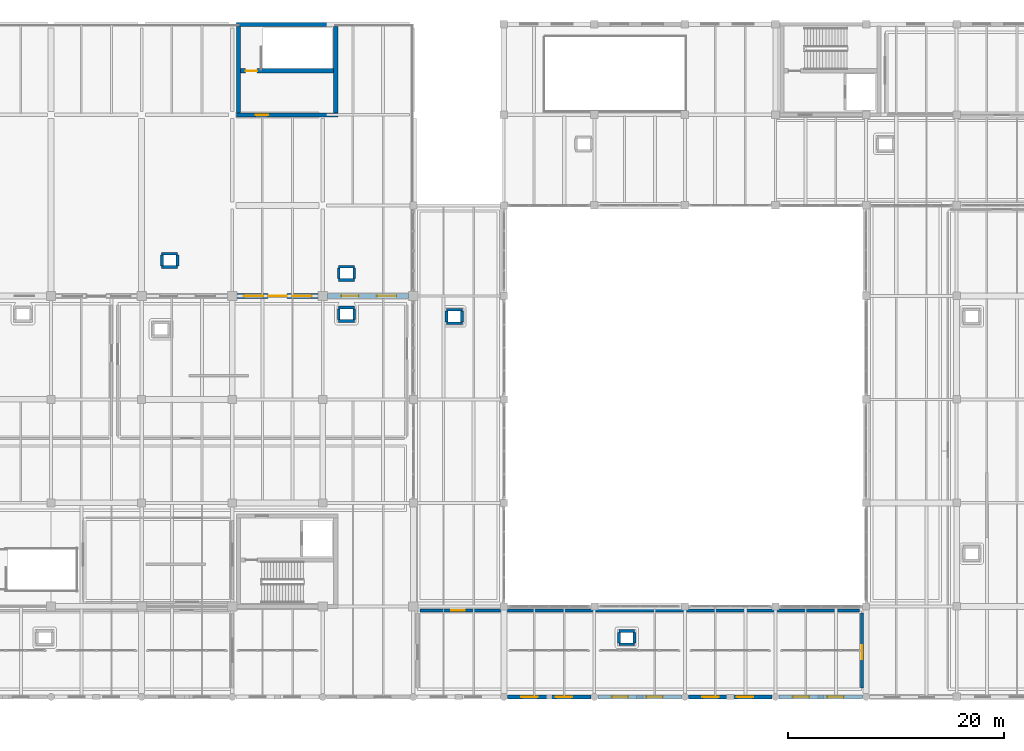
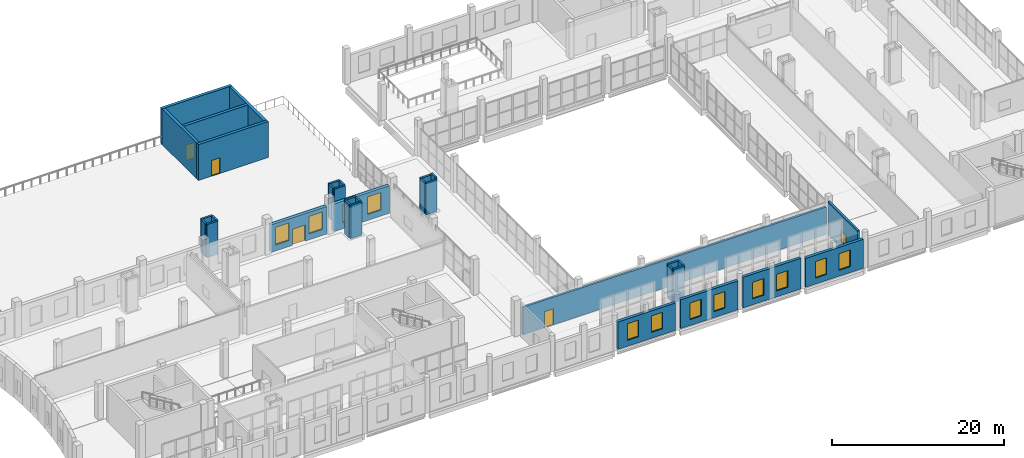
# One storey, part 57 of 73: 33 walls, 13 windows, 4 doors, 17 openings.
"""IFC4 building model written with IfcOpenShell, lengths in metres."""

from ifc_helpers import new_model, si_unit, direction, frame, frame_2d, origin, place, context, subcontext, project, spatial, rectangle, extrude, material, layer, layer_set, type_object, element, fill, save


model = new_model("IFC4")

# Units and contexts
model_context = context("Model", 3, precision=1e-05, world=origin(), true_north=direction((0.0, 1.0)))
body_context = subcontext(model_context, "Body", "Model", "MODEL_VIEW")
ifc_project = project(units=[si_unit("LENGTHUNIT", "METRE"), si_unit("AREAUNIT", "SQUARE_METRE"), si_unit("VOLUMEUNIT", "CUBIC_METRE"), si_unit("PLANEANGLEUNIT", "RADIAN"), si_unit("MASSUNIT", "GRAM", prefix="KILO")], contexts=[model_context])

# Site, building, storey
site_placement = place(None, origin())
site = spatial("IfcSite", under=ifc_project, at=site_placement, CompositionType="ELEMENT")
building_placement = place(site_placement, origin())
building = spatial("IfcBuilding", under=site, at=building_placement, Name="Zulmaris Art Gallery", CompositionType="ELEMENT")
storey_placement = place(building_placement, frame((0.0, 0.0, 10.5)))
storey = spatial("IfcBuildingStorey", under=building, at=storey_placement, Name="L02", CompositionType="ELEMENT", Elevation=10.5)

# Wall, openings, door, windows
ifc_material_1 = material(Name="Omani Cream Limestone Ashlar Masonry", Category="masonry")
ifc_layer_1 = layer(ifc_material_1, 0.43994140625)
ifc_layer_set_1 = layer_set([ifc_layer_1], Name="Omani Cream Limestone Ashlar Masonry")
wall_type_1 = type_object("IfcWallType", Name="ENV-WALL-EW01", PredefinedType="SOLIDWALL", material=ifc_layer_set_1)
wall_1_placement = place(storey_placement, frame((66.427001953125, 50.39990234375, 0.0), z_axis=(0.0, 0.0, 1.0), x_axis=(1.0, 0.0, 0.0)))
wall_1 = element("IfcWall", 1, at=wall_1_placement, inside=storey, type_object=wall_type_1, Name="L02 V1 North Wall Bay 6", PredefinedType="SOLIDWALL", context=body_context, shape_type="SweptSolid", body=[
    extrude(rectangle(XDim=7.5458984375, YDim=0.43994140625, at=frame_2d((3.77294921875, 0.0))), origin(), (0.0, 0.0, 1.0), 3.89990234375),
])
opening_1_placement = place(wall_1_placement, frame((0.64306640625, 0.0, 0.85009765625)))
opening_1 = element("IfcOpeningElement", 2, at=opening_1_placement, cuts=wall_1, Name="Opening W02", PredefinedType="OPENING", context=body_context, shape_type="SweptSolid", body=[
    extrude(rectangle(XDim=1.800048828125, YDim=2.5, at=frame_2d((0.89990234375, 1.25))), frame((0.0, 0.22998046875, 0.0), z_axis=(0.0, -1.0, 0.0), x_axis=(1.0, 0.0, 0.0)), (0.0, 0.0, 1.0), 0.4599609375),
])
opening_2_placement = place(wall_1_placement, frame((5.14306640625, 0.0, 0.85009765625)))
opening_2 = element("IfcOpeningElement", 3, at=opening_2_placement, cuts=wall_1, Name="Opening W02", PredefinedType="OPENING", context=body_context, shape_type="SweptSolid", body=[
    extrude(rectangle(XDim=1.800048828125, YDim=2.5, at=frame_2d((0.89990234375, 1.25))), frame((0.0, 0.22998046875, 0.0), z_axis=(0.0, -1.0, 0.0), x_axis=(1.0, 0.0, 0.0)), (0.0, 0.0, 1.0), 0.4599609375),
])
opening_3_placement = place(wall_1_placement, frame((2.89306640625, 0.0, 0.0)))
opening_3 = element("IfcOpeningElement", 4, at=opening_3_placement, cuts=wall_1, Name="Opening TD01", PredefinedType="OPENING", context=body_context, shape_type="SweptSolid", body=[
    extrude(rectangle(XDim=1.75, YDim=2.300048828125, at=frame_2d((0.875, 1.14990234375))), frame((0.0, 0.22998046875, 0.0), z_axis=(0.0, -1.0, 0.0), x_axis=(1.0, 0.0, 0.0)), (0.0, 0.0, 1.0), 0.4599609375),
])
ifc_material_2 = material(Name="Bronze-Framed Terrace Access Double Door", Category="glass")
door_type_1 = type_object("IfcDoorType", Name="EDOOR-TD01", OperationType="DOUBLE_SWING_LEFT", PredefinedType="DOOR", material=ifc_material_2)
door_1_placement = place(opening_3_placement, origin())
door_1 = element("IfcDoor", 5, at=door_1_placement, inside=storey, type_object=door_type_1, Name="L02 Auditorium Roof Terrace Door 5", OperationType="DOUBLE_SWING_LEFT", OverallHeight=2.300048828125, OverallWidth=1.75, PredefinedType="DOOR", context=body_context, shape_type="SweptSolid", body=[
    extrude(rectangle(XDim=1.75, YDim=2.300048828125, at=frame_2d((0.875, 1.14990234375))), frame((0.0, 0.02490234375, 0.0), z_axis=(0.0, -1.0, 0.0), x_axis=(1.0, 0.0, 0.0)), (0.0, 0.0, 1.0), 0.050048828125),
])
fill(opening_3, door_1)
ifc_material_3 = material(Name="Double-Glazed Solar-Control Low-E Window", Category="glass")
window_type_1 = type_object("IfcWindowType", Name="WIN-W02", PartitioningType="SINGLE_PANEL", PredefinedType="WINDOW", material=ifc_material_3)
window_1_placement = place(opening_1_placement, origin())
window_1 = element("IfcWindow", 6, at=window_1_placement, inside=storey, type_object=window_type_1, Name="L02 exterior window W02", OverallHeight=2.5, OverallWidth=1.800048828125, PartitioningType="SINGLE_PANEL", PredefinedType="WINDOW", context=body_context, shape_type="SweptSolid", body=[
    extrude(rectangle(XDim=1.800048828125, YDim=2.5, at=frame_2d((0.89990234375, 1.25))), frame((0.0, 0.030029296875, 0.0), z_axis=(0.0, -1.0, 0.0), x_axis=(1.0, 0.0, 0.0)), (0.0, 0.0, 1.0), 0.06005859375),
])
fill(opening_1, window_1)
window_2_placement = place(opening_2_placement, origin())
window_2 = element("IfcWindow", 7, at=window_2_placement, inside=storey, type_object=window_type_1, Name="L02 exterior window W02", OverallHeight=2.5, OverallWidth=1.800048828125, PartitioningType="SINGLE_PANEL", PredefinedType="WINDOW", context=body_context, shape_type="SweptSolid", body=[
    extrude(rectangle(XDim=1.800048828125, YDim=2.5, at=frame_2d((0.89990234375, 1.25))), frame((0.0, 0.030029296875, 0.0), z_axis=(0.0, -1.0, 0.0), x_axis=(1.0, 0.0, 0.0)), (0.0, 0.0, 1.0), 0.06005859375),
])
fill(opening_2, window_2)

# Wall, openings, windows
wall_2_placement = place(storey_placement, frame((74.826904296875, 50.39990234375, 0.0), z_axis=(0.0, 0.0, 1.0), x_axis=(1.0, 0.0, 0.0)))
wall_2 = element("IfcWall", 8, at=wall_2_placement, inside=storey, type_object=wall_type_1, Name="L02 V1 North Wall Bay 7", PredefinedType="SOLIDWALL", context=body_context, shape_type="SweptSolid", body=[
    extrude(rectangle(XDim=7.546142578125, YDim=0.43994140625, at=frame_2d((3.77294921875, 0.0))), origin(), (0.0, 0.0, 1.0), 3.89990234375),
])
opening_4_placement = place(wall_2_placement, frame((1.29296875, 0.0, 0.85009765625)))
opening_4 = element("IfcOpeningElement", 9, at=opening_4_placement, cuts=wall_2, Name="Opening W01", PredefinedType="OPENING", context=body_context, shape_type="SweptSolid", body=[
    extrude(rectangle(XDim=1.60009765625, YDim=2.5, at=frame_2d((0.800048828125, 1.25))), frame((0.0, 0.22998046875, 0.0), z_axis=(0.0, -1.0, 0.0), x_axis=(1.0, 0.0, 0.0)), (0.0, 0.0, 1.0), 0.4599609375),
])
opening_5_placement = place(wall_2_placement, frame((4.593017578125, 0.0, 0.85009765625)))
opening_5 = element("IfcOpeningElement", 10, at=opening_5_placement, cuts=wall_2, Name="Opening W02", PredefinedType="OPENING", context=body_context, shape_type="SweptSolid", body=[
    extrude(rectangle(XDim=1.800048828125, YDim=2.5, at=frame_2d((0.89990234375, 1.25))), frame((0.0, 0.22998046875, 0.0), z_axis=(0.0, -1.0, 0.0), x_axis=(1.0, 0.0, 0.0)), (0.0, 0.0, 1.0), 0.4599609375),
])
window_type_2 = type_object("IfcWindowType", Name="WIN-W01", PartitioningType="SINGLE_PANEL", PredefinedType="WINDOW", material=ifc_material_3)
window_3_placement = place(opening_4_placement, origin())
window_3 = element("IfcWindow", 11, at=window_3_placement, inside=storey, type_object=window_type_2, Name="L02 exterior window W01", OverallHeight=2.5, OverallWidth=1.60009765625, PartitioningType="SINGLE_PANEL", PredefinedType="WINDOW", context=body_context, shape_type="SweptSolid", body=[
    extrude(rectangle(XDim=1.60009765625, YDim=2.5, at=frame_2d((0.800048828125, 1.25))), frame((0.0, 0.030029296875, 0.0), z_axis=(0.0, -1.0, 0.0), x_axis=(1.0, 0.0, 0.0)), (0.0, 0.0, 1.0), 0.06005859375),
])
fill(opening_4, window_3)
window_4_placement = place(opening_5_placement, origin())
window_4 = element("IfcWindow", 12, at=window_4_placement, inside=storey, type_object=window_type_1, Name="L02 exterior window W02", OverallHeight=2.5, OverallWidth=1.800048828125, PartitioningType="SINGLE_PANEL", PredefinedType="WINDOW", context=body_context, shape_type="SweptSolid", body=[
    extrude(rectangle(XDim=1.800048828125, YDim=2.5, at=frame_2d((0.89990234375, 1.25))), frame((0.0, 0.030029296875, 0.0), z_axis=(0.0, -1.0, 0.0), x_axis=(1.0, 0.0, 0.0)), (0.0, 0.0, 1.0), 0.06005859375),
])
fill(opening_5, window_4)

ifc_material_4 = material(Name="Omani Desert Rose Limestone Cladding Wall", Category="masonry")
ifc_layer_2 = layer(ifc_material_4, 0.389892578125)
ifc_layer_set_2 = layer_set([ifc_layer_2], Name="Omani Desert Rose Limestone Cladding Wall")
wall_type_2 = type_object("IfcWallType", Name="ENV-WALL-EW02", PredefinedType="SOLIDWALL", material=ifc_layer_set_2)
wall_3_placement = place(storey_placement, frame((91.527099609375, 13.199951171875, 0.0), z_axis=(0.0, 0.0, 1.0), x_axis=(1.0, 0.0, 0.0)))
wall_3 = element("IfcWall", 13, at=wall_3_placement, inside=storey, type_object=wall_type_2, Name="L02 V2 South Street Wall 9", PredefinedType="SOLIDWALL", context=body_context, shape_type="SweptSolid", body=[
    extrude(rectangle(XDim=7.745849609375, YDim=0.389892578125, at=frame_2d((3.873046875, 0.0))), origin(), (0.0, 0.0, 1.0), 3.89990234375),
])
opening_6_placement = place(wall_3_placement, frame((1.29296875, 0.0, 0.85009765625)))
opening_6 = element("IfcOpeningElement", 14, at=opening_6_placement, cuts=wall_3, Name="Opening W07", PredefinedType="OPENING", context=body_context, shape_type="SweptSolid", body=[
    extrude(rectangle(XDim=1.5, YDim=2.35009765625, at=frame_2d((0.75, 1.175048828125))), frame((0.0, 0.204833984375, 0.0), z_axis=(0.0, -1.0, 0.0), x_axis=(1.0, 0.0, 0.0)), (0.0, 0.0, 1.0), 0.409912109375),
])
opening_7_placement = place(wall_3_placement, frame((4.492919921875, 0.0, 0.85009765625)))
opening_7 = element("IfcOpeningElement", 15, at=opening_7_placement, cuts=wall_3, Name="Opening W07", PredefinedType="OPENING", context=body_context, shape_type="SweptSolid", body=[
    extrude(rectangle(XDim=1.5, YDim=2.35009765625, at=frame_2d((0.75, 1.175048828125))), frame((0.0, 0.204833984375, 0.0), z_axis=(0.0, -1.0, 0.0), x_axis=(1.0, 0.0, 0.0)), (0.0, 0.0, 1.0), 0.409912109375),
])
ifc_material_5 = material(Name="Gallery Cloister Bronze Window", Category="glass")
window_type_3 = type_object("IfcWindowType", Name="WIN-W07", PartitioningType="SINGLE_PANEL", PredefinedType="WINDOW", material=ifc_material_5)
window_5_placement = place(opening_6_placement, origin())
window_5 = element("IfcWindow", 16, at=window_5_placement, inside=storey, type_object=window_type_3, Name="L02 exterior window W07", OverallHeight=2.35009765625, OverallWidth=1.5, PartitioningType="SINGLE_PANEL", PredefinedType="WINDOW", context=body_context, shape_type="SweptSolid", body=[
    extrude(rectangle(XDim=1.5, YDim=2.35009765625, at=frame_2d((0.75, 1.175048828125))), frame((0.0, 0.030029296875, 0.0), z_axis=(0.0, -1.0, 0.0), x_axis=(1.0, 0.0, 0.0)), (0.0, 0.0, 1.0), 0.06005859375),
])
fill(opening_6, window_5)
window_6_placement = place(opening_7_placement, origin())
window_6 = element("IfcWindow", 17, at=window_6_placement, inside=storey, type_object=window_type_3, Name="L02 exterior window W07", OverallHeight=2.35009765625, OverallWidth=1.5, PartitioningType="SINGLE_PANEL", PredefinedType="WINDOW", context=body_context, shape_type="SweptSolid", body=[
    extrude(rectangle(XDim=1.5, YDim=2.35009765625, at=frame_2d((0.75, 1.175048828125))), frame((0.0, 0.030029296875, 0.0), z_axis=(0.0, -1.0, 0.0), x_axis=(1.0, 0.0, 0.0)), (0.0, 0.0, 1.0), 0.06005859375),
])
fill(opening_7, window_6)

wall_4_placement = place(storey_placement, frame((99.927001953125, 13.199951171875, 0.0), z_axis=(0.0, 0.0, 1.0), x_axis=(1.0, 0.0, 0.0)))
wall_4 = element("IfcWall", 18, at=wall_4_placement, inside=storey, type_object=wall_type_2, Name="L02 V2 South Street Wall 10", PredefinedType="SOLIDWALL", context=body_context, shape_type="SweptSolid", body=[
    extrude(rectangle(XDim=7.74609375, YDim=0.389892578125, at=frame_2d((3.873046875, 0.0))), origin(), (0.0, 0.0, 1.0), 4.10009765625),
])
opening_8_placement = place(wall_4_placement, frame((1.29296875, 0.0, 0.85009765625)))
opening_8 = element("IfcOpeningElement", 19, at=opening_8_placement, cuts=wall_4, Name="Opening W07", PredefinedType="OPENING", context=body_context, shape_type="SweptSolid", body=[
    extrude(rectangle(XDim=1.5, YDim=2.35009765625, at=frame_2d((0.75, 1.175048828125))), frame((0.0, 0.204833984375, 0.0), z_axis=(0.0, -1.0, 0.0), x_axis=(1.0, 0.0, 0.0)), (0.0, 0.0, 1.0), 0.409912109375),
])
opening_9_placement = place(wall_4_placement, frame((4.492919921875, 0.0, 0.85009765625)))
opening_9 = element("IfcOpeningElement", 20, at=opening_9_placement, cuts=wall_4, Name="Opening W07", PredefinedType="OPENING", context=body_context, shape_type="SweptSolid", body=[
    extrude(rectangle(XDim=1.5, YDim=2.35009765625, at=frame_2d((0.75, 1.175048828125))), frame((0.0, 0.204833984375, 0.0), z_axis=(0.0, -1.0, 0.0), x_axis=(1.0, 0.0, 0.0)), (0.0, 0.0, 1.0), 0.409912109375),
])
window_7_placement = place(opening_8_placement, origin())
window_7 = element("IfcWindow", 21, at=window_7_placement, inside=storey, type_object=window_type_3, Name="L02 exterior window W07", OverallHeight=2.35009765625, OverallWidth=1.5, PartitioningType="SINGLE_PANEL", PredefinedType="WINDOW", context=body_context, shape_type="SweptSolid", body=[
    extrude(rectangle(XDim=1.5, YDim=2.35009765625, at=frame_2d((0.75, 1.175048828125))), frame((0.0, 0.030029296875, 0.0), z_axis=(0.0, -1.0, 0.0), x_axis=(1.0, 0.0, 0.0)), (0.0, 0.0, 1.0), 0.06005859375),
])
fill(opening_8, window_7)
window_8_placement = place(opening_9_placement, origin())
window_8 = element("IfcWindow", 22, at=window_8_placement, inside=storey, type_object=window_type_3, Name="L02 exterior window W07", OverallHeight=2.35009765625, OverallWidth=1.5, PartitioningType="SINGLE_PANEL", PredefinedType="WINDOW", context=body_context, shape_type="SweptSolid", body=[
    extrude(rectangle(XDim=1.5, YDim=2.35009765625, at=frame_2d((0.75, 1.175048828125))), frame((0.0, 0.030029296875, 0.0), z_axis=(0.0, -1.0, 0.0), x_axis=(1.0, 0.0, 0.0)), (0.0, 0.0, 1.0), 0.06005859375),
])
fill(opening_9, window_8)

wall_5_placement = place(storey_placement, frame((108.326904296875, 13.199951171875, 0.0), z_axis=(0.0, 0.0, 1.0), x_axis=(1.0, 0.0, 0.0)))
wall_5 = element("IfcWall", 23, at=wall_5_placement, inside=storey, type_object=wall_type_2, Name="L02 V2 South Street Wall 11", PredefinedType="SOLIDWALL", context=body_context, shape_type="SweptSolid", body=[
    extrude(rectangle(XDim=7.74609375, YDim=0.389892578125, at=frame_2d((3.873046875, 0.0))), origin(), (0.0, 0.0, 1.0), 4.35009765625),
])
opening_10_placement = place(wall_5_placement, frame((1.29296875, 0.0, 0.85009765625)))
opening_10 = element("IfcOpeningElement", 24, at=opening_10_placement, cuts=wall_5, Name="Opening W07", PredefinedType="OPENING", context=body_context, shape_type="SweptSolid", body=[
    extrude(rectangle(XDim=1.5, YDim=2.35009765625, at=frame_2d((0.75, 1.175048828125))), frame((0.0, 0.204833984375, 0.0), z_axis=(0.0, -1.0, 0.0), x_axis=(1.0, 0.0, 0.0)), (0.0, 0.0, 1.0), 0.409912109375),
])
opening_11_placement = place(wall_5_placement, frame((4.492919921875, 0.0, 0.85009765625)))
opening_11 = element("IfcOpeningElement", 25, at=opening_11_placement, cuts=wall_5, Name="Opening W07", PredefinedType="OPENING", context=body_context, shape_type="SweptSolid", body=[
    extrude(rectangle(XDim=1.5, YDim=2.35009765625, at=frame_2d((0.75, 1.175048828125))), frame((0.0, 0.204833984375, 0.0), z_axis=(0.0, -1.0, 0.0), x_axis=(1.0, 0.0, 0.0)), (0.0, 0.0, 1.0), 0.409912109375),
])
window_9_placement = place(opening_10_placement, origin())
window_9 = element("IfcWindow", 26, at=window_9_placement, inside=storey, type_object=window_type_3, Name="L02 exterior window W07", OverallHeight=2.35009765625, OverallWidth=1.5, PartitioningType="SINGLE_PANEL", PredefinedType="WINDOW", context=body_context, shape_type="SweptSolid", body=[
    extrude(rectangle(XDim=1.5, YDim=2.35009765625, at=frame_2d((0.75, 1.175048828125))), frame((0.0, 0.030029296875, 0.0), z_axis=(0.0, -1.0, 0.0), x_axis=(1.0, 0.0, 0.0)), (0.0, 0.0, 1.0), 0.06005859375),
])
fill(opening_10, window_9)
window_10_placement = place(opening_11_placement, origin())
window_10 = element("IfcWindow", 27, at=window_10_placement, inside=storey, type_object=window_type_3, Name="L02 exterior window W07", OverallHeight=2.35009765625, OverallWidth=1.5, PartitioningType="SINGLE_PANEL", PredefinedType="WINDOW", context=body_context, shape_type="SweptSolid", body=[
    extrude(rectangle(XDim=1.5, YDim=2.35009765625, at=frame_2d((0.75, 1.175048828125))), frame((0.0, 0.030029296875, 0.0), z_axis=(0.0, -1.0, 0.0), x_axis=(1.0, 0.0, 0.0)), (0.0, 0.0, 1.0), 0.06005859375),
])
fill(opening_11, window_10)

wall_6_placement = place(storey_placement, frame((116.72705078125, 13.199951171875, 0.0), z_axis=(0.0, 0.0, 1.0), x_axis=(1.0, 0.0, 0.0)))
wall_6 = element("IfcWall", 28, at=wall_6_placement, inside=storey, type_object=wall_type_2, Name="L02 V2 South Street Wall 12", PredefinedType="SOLIDWALL", context=body_context, shape_type="SweptSolid", body=[
    extrude(rectangle(XDim=7.745849609375, YDim=0.389892578125, at=frame_2d((3.873046875, 0.0))), origin(), (0.0, 0.0, 1.0), 4.10009765625),
])
opening_12_placement = place(wall_6_placement, frame((1.29296875, 0.0, 0.85009765625)))
opening_12 = element("IfcOpeningElement", 29, at=opening_12_placement, cuts=wall_6, Name="Opening W07", PredefinedType="OPENING", context=body_context, shape_type="SweptSolid", body=[
    extrude(rectangle(XDim=1.5, YDim=2.35009765625, at=frame_2d((0.75, 1.175048828125))), frame((0.0, 0.204833984375, 0.0), z_axis=(0.0, -1.0, 0.0), x_axis=(1.0, 0.0, 0.0)), (0.0, 0.0, 1.0), 0.409912109375),
])
opening_13_placement = place(wall_6_placement, frame((4.492919921875, 0.0, 0.85009765625)))
opening_13 = element("IfcOpeningElement", 30, at=opening_13_placement, cuts=wall_6, Name="Opening W07", PredefinedType="OPENING", context=body_context, shape_type="SweptSolid", body=[
    extrude(rectangle(XDim=1.5, YDim=2.35009765625, at=frame_2d((0.75, 1.175048828125))), frame((0.0, 0.204833984375, 0.0), z_axis=(0.0, -1.0, 0.0), x_axis=(1.0, 0.0, 0.0)), (0.0, 0.0, 1.0), 0.409912109375),
])
window_11_placement = place(opening_12_placement, origin())
window_11 = element("IfcWindow", 31, at=window_11_placement, inside=storey, type_object=window_type_3, Name="L02 exterior window W07", OverallHeight=2.35009765625, OverallWidth=1.5, PartitioningType="SINGLE_PANEL", PredefinedType="WINDOW", context=body_context, shape_type="SweptSolid", body=[
    extrude(rectangle(XDim=1.5, YDim=2.35009765625, at=frame_2d((0.75, 1.175048828125))), frame((0.0, 0.030029296875, 0.0), z_axis=(0.0, -1.0, 0.0), x_axis=(1.0, 0.0, 0.0)), (0.0, 0.0, 1.0), 0.06005859375),
])
fill(opening_12, window_11)
window_12_placement = place(opening_13_placement, origin())
window_12 = element("IfcWindow", 32, at=window_12_placement, inside=storey, type_object=window_type_3, Name="L02 exterior window W07", OverallHeight=2.35009765625, OverallWidth=1.5, PartitioningType="SINGLE_PANEL", PredefinedType="WINDOW", context=body_context, shape_type="SweptSolid", body=[
    extrude(rectangle(XDim=1.5, YDim=2.35009765625, at=frame_2d((0.75, 1.175048828125))), frame((0.0, 0.030029296875, 0.0), z_axis=(0.0, -1.0, 0.0), x_axis=(1.0, 0.0, 0.0)), (0.0, 0.0, 1.0), 0.06005859375),
])
fill(opening_13, window_12)

# Walls
ifc_material_6 = material(Name="MEP Riser & Smoke Shaft Enclosure Wall", Category="masonry")
ifc_layer_3 = layer(ifc_material_6, 0.2548828125)
ifc_layer_set_3 = layer_set([ifc_layer_3], Name="MEP Riser & Smoke Shaft Enclosure Wall")
wall_type_3 = type_object("IfcWallType", Name="IWALL-PW11", PredefinedType="PARTITIONING", material=ifc_layer_set_3)
for number, where, z_axis, x_axis, name in (
    (33, (75.860107421875, 49.320068359375, 0.0), (0.0, 0.0, 1.0), (1.0, 0.0, 0.0), "L02 MEP Riser 3 N wall"),
    (34, (75.860107421875, 48.080078125, 0.0), (0.0, 0.0, 1.0), (1.0, 0.0, 0.0), "L02 MEP Riser 3 S wall"),
):
    element("IfcWall", number, at=place(storey_placement, frame(where, z_axis=z_axis, x_axis=x_axis)), inside=storey, type_object=wall_type_3, Name=name, PredefinedType="PARTITIONING", context=body_context, shape_type="SweptSolid", body=[
        extrude(rectangle(XDim=1.47998046875, YDim=0.2548828125, at=frame_2d((0.739990234375, 0.0))), origin(), (0.0, 0.0, 1.0), 4.719970703125),
    ])
for number, where, z_axis, x_axis, name in (
    (35, (75.8798828125, 48.199951171875, 0.0), (0.0, 0.0, 1.0), (0.0, 1.0, 0.0), "L02 MEP Riser 3 W wall"),
    (36, (77.320068359375, 48.199951171875, 0.0), (0.0, 0.0, 1.0), (0.0, 1.0, 0.0), "L02 MEP Riser 3 E wall"),
):
    element("IfcWall", number, at=place(storey_placement, frame(where, z_axis=z_axis, x_axis=x_axis)), inside=storey, type_object=wall_type_3, Name=name, PredefinedType="PARTITIONING", context=body_context, shape_type="SweptSolid", body=[
        extrude(rectangle(XDim=1.0, YDim=0.2548828125, at=frame_2d((0.5, 0.0))), origin(), (0.0, 0.0, 1.0), 4.719970703125),
    ])
for number, where, z_axis, x_axis, name in (
    (37, (101.860107421875, 19.320068359375, 0.0), (0.0, 0.0, 1.0), (1.0, 0.0, 0.0), "L02 MEP Riser 5 N wall"),
    (38, (101.860107421875, 18.080078125, 0.0), (0.0, 0.0, 1.0), (1.0, 0.0, 0.0), "L02 MEP Riser 5 S wall"),
):
    element("IfcWall", number, at=place(storey_placement, frame(where, z_axis=z_axis, x_axis=x_axis)), inside=storey, type_object=wall_type_3, Name=name, PredefinedType="PARTITIONING", context=body_context, shape_type="SweptSolid", body=[
        extrude(rectangle(XDim=1.47998046875, YDim=0.2548828125, at=frame_2d((0.739990234375, 0.0))), origin(), (0.0, 0.0, 1.0), 4.719970703125),
    ])
for number, where, z_axis, x_axis, name in (
    (39, (101.8798828125, 18.199951171875, 0.0), (0.0, 0.0, 1.0), (0.0, 1.0, 0.0), "L02 MEP Riser 5 W wall"),
    (40, (103.320068359375, 18.199951171875, 0.0), (0.0, 0.0, 1.0), (0.0, 1.0, 0.0), "L02 MEP Riser 5 E wall"),
):
    element("IfcWall", number, at=place(storey_placement, frame(where, z_axis=z_axis, x_axis=x_axis)), inside=storey, type_object=wall_type_3, Name=name, PredefinedType="PARTITIONING", context=body_context, shape_type="SweptSolid", body=[
        extrude(rectangle(XDim=1.0, YDim=0.2548828125, at=frame_2d((0.5, 0.0))), origin(), (0.0, 0.0, 1.0), 4.719970703125),
    ])
for number, where, z_axis, x_axis, name in (
    (41, (85.860107421875, 49.1201171875, 0.0), (0.0, 0.0, 1.0), (1.0, 0.0, 0.0), "L02 MEP Riser 6 N wall"),
    (42, (85.860107421875, 47.8798828125, 0.0), (0.0, 0.0, 1.0), (1.0, 0.0, 0.0), "L02 MEP Riser 6 S wall"),
):
    element("IfcWall", number, at=place(storey_placement, frame(where, z_axis=z_axis, x_axis=x_axis)), inside=storey, type_object=wall_type_3, Name=name, PredefinedType="PARTITIONING", context=body_context, shape_type="SweptSolid", body=[
        extrude(rectangle(XDim=1.47998046875, YDim=0.2548828125, at=frame_2d((0.739990234375, 0.0))), origin(), (0.0, 0.0, 1.0), 4.429931640625),
    ])
wall_7_placement = place(storey_placement, frame((85.8798828125, 48.0, 0.0), z_axis=(0.0, 0.0, 1.0), x_axis=(0.0, 1.0, 0.0)))
element("IfcWall", 43, at=wall_7_placement, inside=storey, type_object=wall_type_3, Name="L02 MEP Riser 6 W wall", PredefinedType="PARTITIONING", context=body_context, shape_type="SweptSolid", body=[
    extrude(rectangle(XDim=1.0, YDim=0.2548828125, at=frame_2d((0.5, 0.0))), origin(), (0.0, 0.0, 1.0), 4.429931640625),
])
wall_8_placement = place(storey_placement, frame((87.320068359375, 48.0, 0.0), z_axis=(0.0, 0.0, 1.0), x_axis=(0.0, 1.0, 0.0)))
element("IfcWall", 44, at=wall_8_placement, inside=storey, type_object=wall_type_3, Name="L02 MEP Riser 6 E wall", PredefinedType="PARTITIONING", context=body_context, shape_type="SweptSolid", body=[
    extrude(rectangle(XDim=1.0, YDim=0.2548828125, at=frame_2d((0.5, 0.0))), origin(), (0.0, 0.0, 1.0), 4.719970703125),
])
for number, where, z_axis, x_axis, name in (
    (45, (59.4599609375, 54.320068359375, 0.0), (0.0, 0.0, 1.0), (1.0, 0.0, 0.0), "L02 MEP Riser 7 N wall"),
    (46, (59.4599609375, 53.080078125, 0.0), (0.0, 0.0, 1.0), (1.0, 0.0, 0.0), "L02 MEP Riser 7 S wall"),
):
    element("IfcWall", number, at=place(storey_placement, frame(where, z_axis=z_axis, x_axis=x_axis)), inside=storey, type_object=wall_type_3, Name=name, PredefinedType="PARTITIONING", context=body_context, shape_type="SweptSolid", body=[
        extrude(rectangle(XDim=1.47998046875, YDim=0.2548828125, at=frame_2d((0.739990234375, 0.0))), origin(), (0.0, 0.0, 1.0), 4.719970703125),
    ])
for number, where, z_axis, x_axis, name in (
    (47, (59.47998046875, 53.199951171875, 0.0), (0.0, 0.0, 1.0), (0.0, 1.0, 0.0), "L02 MEP Riser 7 W wall"),
    (48, (60.919921875, 53.199951171875, 0.0), (0.0, 0.0, 1.0), (0.0, 1.0, 0.0), "L02 MEP Riser 7 E wall"),
):
    element("IfcWall", number, at=place(storey_placement, frame(where, z_axis=z_axis, x_axis=x_axis)), inside=storey, type_object=wall_type_3, Name=name, PredefinedType="PARTITIONING", context=body_context, shape_type="SweptSolid", body=[
        extrude(rectangle(XDim=1.0, YDim=0.2548828125, at=frame_2d((0.5, 0.0))), origin(), (0.0, 0.0, 1.0), 4.719970703125),
    ])
for number, where, z_axis, x_axis, name in (
    (49, (75.860107421875, 53.1201171875, 0.0), (0.0, 0.0, 1.0), (1.0, 0.0, 0.0), "L02 MEP Riser 8 N wall"),
    (50, (75.860107421875, 51.8798828125, 0.0), (0.0, 0.0, 1.0), (1.0, 0.0, 0.0), "L02 MEP Riser 8 S wall"),
):
    element("IfcWall", number, at=place(storey_placement, frame(where, z_axis=z_axis, x_axis=x_axis)), inside=storey, type_object=wall_type_3, Name=name, PredefinedType="PARTITIONING", context=body_context, shape_type="SweptSolid", body=[
        extrude(rectangle(XDim=1.47998046875, YDim=0.2548828125, at=frame_2d((0.739990234375, 0.0))), origin(), (0.0, 0.0, 1.0), 4.719970703125),
    ])
for number, where, z_axis, x_axis, name in (
    (51, (75.8798828125, 52.0, 0.0), (0.0, 0.0, 1.0), (0.0, 1.0, 0.0), "L02 MEP Riser 8 W wall"),
    (52, (77.320068359375, 52.0, 0.0), (0.0, 0.0, 1.0), (0.0, 1.0, 0.0), "L02 MEP Riser 8 E wall"),
):
    element("IfcWall", number, at=place(storey_placement, frame(where, z_axis=z_axis, x_axis=x_axis)), inside=storey, type_object=wall_type_3, Name=name, PredefinedType="PARTITIONING", context=body_context, shape_type="SweptSolid", body=[
        extrude(rectangle(XDim=1.0, YDim=0.2548828125, at=frame_2d((0.5, 0.0))), origin(), (0.0, 0.0, 1.0), 4.719970703125),
    ])

# Wall, opening, door
ifc_material_7 = material(Name="Plant & Substation Acoustic Blockwork Wall", Category="masonry")
ifc_layer_4 = layer(ifc_material_7, 0.27001953125)
ifc_layer_set_4 = layer_set([ifc_layer_4], Name="Plant & Substation Acoustic Blockwork Wall")
wall_type_4 = type_object("IfcWallType", Name="IWALL-PW12", PredefinedType="PARTITIONING", material=ifc_layer_set_4)
wall_9_placement = place(storey_placement, frame((83.429931640625, 21.219970703125, 0.0), z_axis=(0.0, 0.0, 1.0), x_axis=(1.0, 0.0, 0.0)))
wall_9 = element("IfcWall", 53, at=wall_9_placement, inside=storey, type_object=wall_type_4, Name="Members Lounge & Court Overlook N partition", PredefinedType="PARTITIONING", context=body_context, shape_type="SweptSolid", body=[
    extrude(rectangle(XDim=40.739990234375, YDim=0.27001953125, at=frame_2d((20.3701171875, 0.0))), origin(), (0.0, 0.0, 1.0), 3.89990234375),
])
opening_14_placement = place(wall_9_placement, frame((2.89990234375, 0.0, 0.0)))
opening_14 = element("IfcOpeningElement", 54, at=opening_14_placement, cuts=wall_9, Name="Opening D09", PredefinedType="OPENING", context=body_context, shape_type="SweptSolid", body=[
    extrude(rectangle(XDim=1.239990234375, YDim=2.280029296875, at=frame_2d((0.6201171875, 1.14013671875))), frame((0.0, 0.14501953125, 0.0), z_axis=(0.0, -1.0, 0.0), x_axis=(1.0, 0.0, 0.0)), (0.0, 0.0, 1.0), 0.2900390625),
])
ifc_material_8 = material(Name="Conservation Studio Sealed Door", Category="steel")
door_type_2 = type_object("IfcDoorType", Name="IDOOR-D09", OperationType="NOTDEFINED", PredefinedType="DOOR", material=ifc_material_8)
door_2_placement = place(opening_14_placement, origin())
door_2 = element("IfcDoor", 55, at=door_2_placement, inside=storey, type_object=door_type_2, Name="Members Lounge & Court Overlook Door", OperationType="SINGLE_SWING_RIGHT", OverallHeight=2.280029296875, OverallWidth=1.239990234375, PredefinedType="DOOR", context=body_context, shape_type="SweptSolid", body=[
    extrude(rectangle(XDim=1.239990234375, YDim=2.280029296875, at=frame_2d((0.6201171875, 1.14013671875))), frame((0.0, 0.02490234375, 0.0), z_axis=(0.0, -1.0, 0.0), x_axis=(1.0, 0.0, 0.0)), (0.0, 0.0, 1.0), 0.050048828125),
])
fill(opening_14, door_2)

# Wall, opening, window
wall_10_placement = place(storey_placement, frame((124.419921875, 14.030029296875, 0.0), z_axis=(0.0, 0.0, 1.0), x_axis=(0.0, 1.0, 0.0)))
wall_10 = element("IfcWall", 56, at=wall_10_placement, inside=storey, type_object=wall_type_4, Name="Members Lounge & Court Overlook E partition", PredefinedType="PARTITIONING", context=body_context, shape_type="SweptSolid", body=[
    extrude(rectangle(XDim=6.93994140625, YDim=0.27001953125, at=frame_2d((3.469970703125, 0.0))), origin(), (0.0, 0.0, 1.0), 4.719970703125),
])
opening_15_placement = place(wall_10_placement, frame((2.64990234375, 0.0, 0.89990234375)))
opening_15 = element("IfcOpeningElement", 57, at=opening_15_placement, cuts=wall_10, Name="Opening IW04", PredefinedType="OPENING", context=body_context, shape_type="SweptSolid", body=[
    extrude(rectangle(XDim=1.320068359375, YDim=1.5, at=frame_2d((0.66015625, 0.75))), frame((0.0, 0.14501953125, 0.0), z_axis=(0.0, -1.0, 0.0), x_axis=(1.0, 0.0, 0.0)), (0.0, 0.0, 1.0), 0.2900390625),
])
ifc_material_9 = material(Name="Curatorial Study Vitrine Window", Category="glass")
window_type_4 = type_object("IfcWindowType", Name="IWIN-IW04", PartitioningType="SINGLE_PANEL", PredefinedType="WINDOW", material=ifc_material_9)
window_13_placement = place(opening_15_placement, origin())
window_13 = element("IfcWindow", 58, at=window_13_placement, inside=storey, type_object=window_type_4, Name="L02 interior observation window IW04", OverallHeight=1.5, OverallWidth=1.320068359375, PartitioningType="SINGLE_PANEL", PredefinedType="WINDOW", context=body_context, shape_type="SweptSolid", body=[
    extrude(rectangle(XDim=1.320068359375, YDim=1.5, at=frame_2d((0.66015625, 0.75))), frame((0.0, 0.030029296875, 0.0), z_axis=(0.0, -1.0, 0.0), x_axis=(1.0, 0.0, 0.0)), (0.0, 0.0, 1.0), 0.06005859375),
])
fill(opening_15, window_13)

# Wall, opening, door
ifc_material_10 = material(Name="Concrete C50/60", Category="concrete")
ifc_layer_5 = layer(ifc_material_10, 0.3798828125)
ifc_layer_set_5 = layer_set([ifc_layer_5], Name="Concrete C50/60")
wall_type_5 = type_object("IfcWallType", Name="STR-WALL-SW02", PredefinedType="SHEAR", material=ifc_layer_set_5)
wall_11_placement = place(storey_placement, frame((66.409912109375, 67.199951171875, 0.0), z_axis=(0.0, 0.0, 1.0), x_axis=(1.0, 0.0, 0.0)))
wall_11 = element("IfcWall", 59, at=wall_11_placement, inside=storey, type_object=wall_type_5, Name="Core C6 L02 S shear wall", PredefinedType="SHEAR", context=body_context, shape_type="SweptSolid", body=[
    extrude(rectangle(XDim=9.380126953125, YDim=0.3798828125, at=frame_2d((4.68994140625, 0.0))), origin(), (0.0, 0.0, 1.0), 5.10009765625),
])
opening_16_placement = place(wall_11_placement, frame((1.75, 0.0, 0.0)))
opening_16 = element("IfcOpeningElement", 60, at=opening_16_placement, cuts=wall_11, Name="Opening D08", PredefinedType="OPENING", context=body_context, shape_type="SweptSolid", body=[
    extrude(rectangle(XDim=1.179931640625, YDim=2.239990234375, at=frame_2d((0.58984375, 1.1201171875))), frame((0.0, 0.199951171875, 0.0), z_axis=(0.0, -1.0, 0.0), x_axis=(1.0, 0.0, 0.0)), (0.0, 0.0, 1.0), 0.39990234375),
])
ifc_material_11 = material(Name="Firefighting Lobby Compartment Door", Category="steel")
door_type_3 = type_object("IfcDoorType", Name="IDOOR-D08", OperationType="NOTDEFINED", PredefinedType="DOOR", material=ifc_material_11)
door_3_placement = place(opening_16_placement, origin())
door_3 = element("IfcDoor", 61, at=door_3_placement, inside=storey, type_object=door_type_3, Name="Core C6 L02 Lobby Compartment Door", OperationType="SINGLE_SWING_RIGHT", OverallHeight=2.239990234375, OverallWidth=1.179931640625, PredefinedType="DOOR", context=body_context, shape_type="SweptSolid", body=[
    extrude(rectangle(XDim=1.179931640625, YDim=2.239990234375, at=frame_2d((0.58984375, 1.1201171875))), frame((0.0, 0.02490234375, 0.0), z_axis=(0.0, -1.0, 0.0), x_axis=(1.0, 0.0, 0.0)), (0.0, 0.0, 1.0), 0.050048828125),
])
fill(opening_16, door_3)

# Walls
wall_12_placement = place(storey_placement, frame((66.409912109375, 75.60009765625, 0.0), z_axis=(0.0, 0.0, 1.0), x_axis=(1.0, 0.0, 0.0)))
element("IfcWall", 62, at=wall_12_placement, inside=storey, type_object=wall_type_5, Name="Core C6 L02 N shear wall", PredefinedType="SHEAR", context=body_context, shape_type="SweptSolid", body=[
    extrude(rectangle(XDim=9.380126953125, YDim=0.3798828125, at=frame_2d((4.68994140625, 0.0))), origin(), (0.0, 0.0, 1.0), 5.10009765625),
])
for number, where, z_axis, x_axis, name in (
    (63, (66.60009765625, 67.389892578125, 0.0), (0.0, 0.0, 1.0), (0.0, 1.0, 0.0), "Core C6 L02 W shear wall"),
    (64, (75.60009765625, 67.389892578125, 0.0), (0.0, 0.0, 1.0), (0.0, 1.0, 0.0), "Core C6 L02 E shear wall"),
):
    element("IfcWall", number, at=place(storey_placement, frame(where, z_axis=z_axis, x_axis=x_axis)), inside=storey, type_object=wall_type_5, Name=name, PredefinedType="SHEAR", context=body_context, shape_type="SweptSolid", body=[
        extrude(rectangle(XDim=8.02001953125, YDim=0.3798828125, at=frame_2d((4.010009765625, 0.0))), origin(), (0.0, 0.0, 1.0), 5.10009765625),
    ])

# Wall, opening, door
wall_13_placement = place(storey_placement, frame((66.7900390625, 71.2900390625, 0.0), z_axis=(0.0, 0.0, 1.0), x_axis=(1.0, 0.0, 0.0)))
wall_13 = element("IfcWall", 65, at=wall_13_placement, inside=storey, type_object=wall_type_5, Name="Core C6 L02 DIV shear wall", PredefinedType="SHEAR", context=body_context, shape_type="SweptSolid", body=[
    extrude(rectangle(XDim=8.619873046875, YDim=0.3798828125, at=frame_2d((4.31005859375, 0.0))), origin(), (0.0, 0.0, 1.0), 5.10009765625),
])
opening_17_placement = place(wall_13_placement, frame((0.449951171875, 0.0, 0.0)))
opening_17 = element("IfcOpeningElement", 66, at=opening_17_placement, cuts=wall_13, Name="Opening D07", PredefinedType="OPENING", context=body_context, shape_type="SweptSolid", body=[
    extrude(rectangle(XDim=1.080078125, YDim=2.179931640625, at=frame_2d((0.5400390625, 1.08984375))), frame((0.0, 0.199951171875, 0.0), z_axis=(0.0, -1.0, 0.0), x_axis=(1.0, 0.0, 0.0)), (0.0, 0.0, 1.0), 0.39990234375),
])
ifc_material_12 = material(Name="Stairwell Fire Escape Door", Category="steel")
door_type_4 = type_object("IfcDoorType", Name="IDOOR-D07", OperationType="NOTDEFINED", PredefinedType="DOOR", material=ifc_material_12)
door_4_placement = place(opening_17_placement, origin())
door_4 = element("IfcDoor", 67, at=door_4_placement, inside=storey, type_object=door_type_4, Name="Core C6 L02 Stair ST7 Fire Door", OperationType="SINGLE_SWING_LEFT", OverallHeight=2.179931640625, OverallWidth=1.080078125, PredefinedType="DOOR", context=body_context, shape_type="SweptSolid", body=[
    extrude(rectangle(XDim=1.080078125, YDim=2.179931640625, at=frame_2d((0.5400390625, 1.08984375))), frame((0.0, 0.02490234375, 0.0), z_axis=(0.0, -1.0, 0.0), x_axis=(1.0, 0.0, 0.0)), (0.0, 0.0, 1.0), 0.050048828125),
])
fill(opening_17, door_4)

save(model, "model.ifc")
